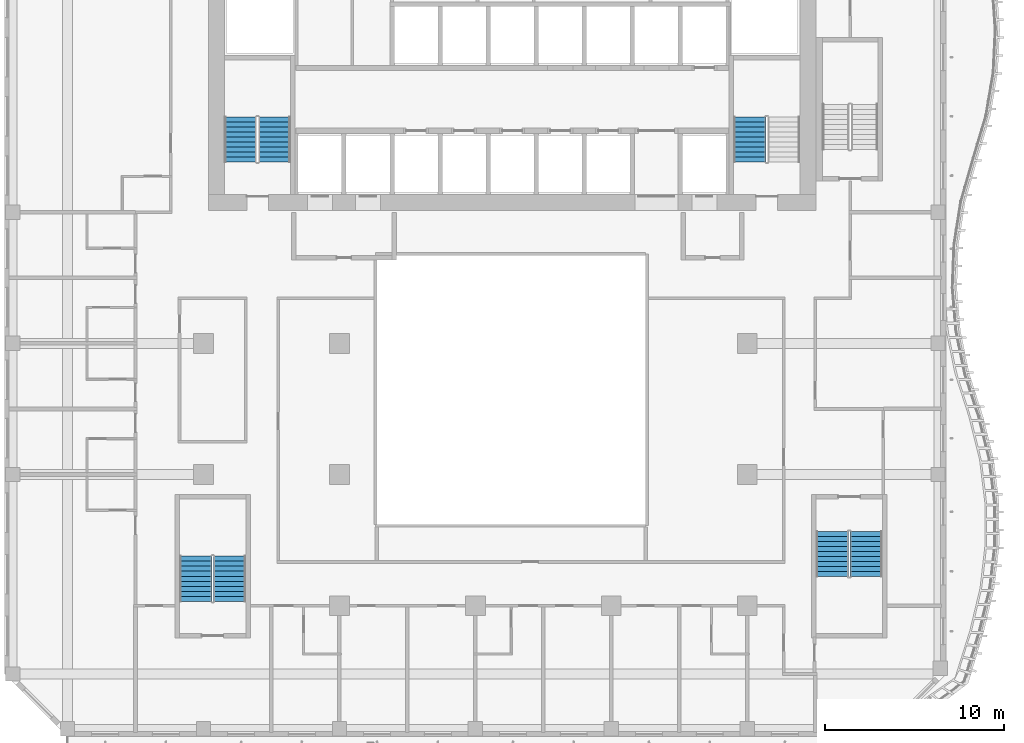
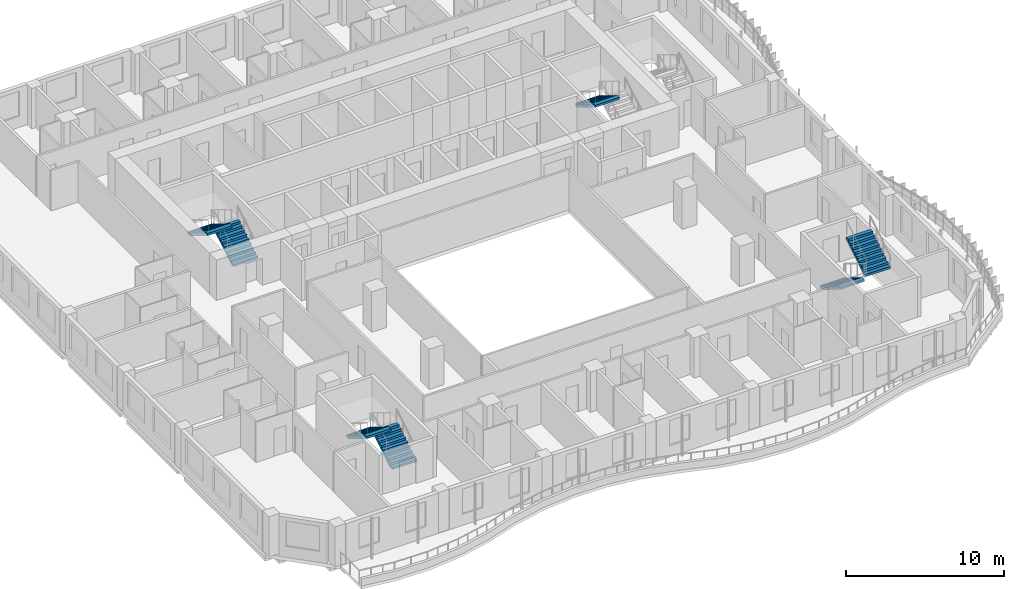
# One storey, part 12 of 22: 7 stair flights, 4 elements without a shape of their own.
"""IFC4 building model written with IfcOpenShell, lengths in metres."""

from ifc_helpers import new_model, si_unit, direction, frame, origin, place, context, subcontext, project, spatial, triangles, source, transform, mapped, material, type_object, element, aggregate, save


model = new_model("IFC4")

# Units and contexts
model_context = context("Model", 3, precision=1e-05, world=origin(), true_north=direction((0.0, 1.0)))
body_context = subcontext(model_context, "Body", "Model", "MODEL_VIEW")
ifc_project = project(units=[si_unit("LENGTHUNIT", "METRE"), si_unit("AREAUNIT", "SQUARE_METRE"), si_unit("VOLUMEUNIT", "CUBIC_METRE"), si_unit("PLANEANGLEUNIT", "RADIAN"), si_unit("MASSUNIT", "GRAM", prefix="KILO")], contexts=[model_context])

# Site, building, storey
site_placement = place(None, origin())
site = spatial("IfcSite", under=ifc_project, at=site_placement, CompositionType="ELEMENT")
building_placement = place(site_placement, origin())
building = spatial("IfcBuilding", under=site, at=building_placement, Name="Kilnfold Tower and Market Hall", CompositionType="ELEMENT")
storey_placement = place(building_placement, frame((0.0, 0.0, 143.89990234375)))
storey = spatial("IfcBuildingStorey", under=building, at=storey_placement, Name="L32", CompositionType="ELEMENT", Elevation=143.89990234375)

# Stair, stair flights
ifc_material_1 = material(Name="Concrete C40/50", Category="concrete")
stair_type = type_object("IfcStairType", Name="CORE STAIR 1800", PredefinedType="HALF_TURN_STAIR", material=ifc_material_1)
stair_1_placement = place(storey_placement, origin())
stair_1 = element("IfcStair", 1, at=stair_1_placement, inside=storey, type_object=stair_type, Name="L32 ST1", PredefinedType="HALF_TURN_STAIR")
ifc_material_2 = material(Name="Concrete C40/50", Category="concrete")
stair_flight_type = type_object("IfcStairFlightType", Name="CORE STAIR FLIGHT 1800", PredefinedType="STRAIGHT", material=ifc_material_2)
shared_shape = source(origin(), body_context, "Body", "Tessellation", [
    triangles([(0.0, 0.89990234375, 0.0), (0.0, 0.78759765625, 0.0), (0.0, 0.675048828125, 0.0), (0.0, 0.5625, 0.0), (0.0, 0.449951171875, 0.0), (0.0, 0.33740234375, 0.0), (0.0, 0.22509765625, 0.0), (0.0, 0.112548828125, 0.0), (0.0, 0.0, 0.0), (0.0, -0.112548828125, 0.0), (0.0, -0.22509765625, 0.0), (0.0, -0.33740234375, 0.0), (0.0, -0.449951171875, 0.0), (0.0, -0.5625, 0.0), (0.0, -0.675048828125, 0.0), (0.0, -0.78759765625, 0.0), (0.0, -0.89990234375, 0.0), (0.0, 0.89990234375, 0.169921875), (0.0, 0.78759765625, 0.169921875), (0.0, 0.675048828125, 0.169921875), (0.0, 0.5625, 0.169921875), (0.0, 0.449951171875, 0.169921875), (0.0, 0.33740234375, 0.169921875), (0.0, 0.22509765625, 0.169921875), (0.0, 0.112548828125, 0.169921875), (0.0, 0.0, 0.169921875), (0.0, -0.112548828125, 0.169921875), (0.0, -0.22509765625, 0.169921875), (0.0, -0.33740234375, 0.169921875), (0.0, -0.449951171875, 0.169921875), (0.0, -0.5625, 0.169921875), (0.0, -0.675048828125, 0.169921875), (0.0, -0.78759765625, 0.169921875), (0.0, -0.89990234375, 0.169921875), (0.280029296875, 0.89990234375, 0.169921875), (0.280029296875, 0.78759765625, 0.169921875), (0.280029296875, 0.675048828125, 0.169921875), (0.280029296875, 0.5625, 0.169921875), (0.280029296875, 0.449951171875, 0.169921875), (0.280029296875, 0.33740234375, 0.169921875), (0.280029296875, 0.22509765625, 0.169921875), (0.280029296875, 0.112548828125, 0.169921875), (0.280029296875, 0.0, 0.169921875), (0.280029296875, -0.112548828125, 0.169921875), (0.280029296875, -0.22509765625, 0.169921875), (0.280029296875, -0.33740234375, 0.169921875), (0.280029296875, -0.449951171875, 0.169921875), (0.280029296875, -0.5625, 0.169921875), (0.280029296875, -0.675048828125, 0.169921875), (0.280029296875, -0.78759765625, 0.169921875), (0.280029296875, -0.89990234375, 0.169921875), (0.280029296875, 0.89990234375, 0.340087890625), (0.280029296875, 0.78759765625, 0.340087890625), (0.280029296875, 0.675048828125, 0.340087890625), (0.280029296875, 0.5625, 0.340087890625), (0.280029296875, 0.449951171875, 0.340087890625), (0.280029296875, 0.33740234375, 0.340087890625), (0.280029296875, 0.22509765625, 0.340087890625), (0.280029296875, 0.112548828125, 0.340087890625), (0.280029296875, 0.0, 0.340087890625), (0.280029296875, -0.112548828125, 0.340087890625), (0.280029296875, -0.22509765625, 0.340087890625), (0.280029296875, -0.33740234375, 0.340087890625), (0.280029296875, -0.449951171875, 0.340087890625), (0.280029296875, -0.5625, 0.340087890625), (0.280029296875, -0.675048828125, 0.340087890625), (0.280029296875, -0.78759765625, 0.340087890625), (0.280029296875, -0.89990234375, 0.340087890625), (0.56005859375, 0.89990234375, 0.340087890625), (0.56005859375, 0.78759765625, 0.340087890625), (0.56005859375, 0.675048828125, 0.340087890625), (0.56005859375, 0.5625, 0.340087890625), (0.56005859375, 0.449951171875, 0.340087890625), (0.56005859375, 0.33740234375, 0.340087890625), (0.56005859375, 0.22509765625, 0.340087890625), (0.56005859375, 0.112548828125, 0.340087890625), (0.56005859375, 0.0, 0.340087890625), (0.56005859375, -0.112548828125, 0.340087890625), (0.56005859375, -0.22509765625, 0.340087890625), (0.56005859375, -0.33740234375, 0.340087890625), (0.56005859375, -0.449951171875, 0.340087890625), (0.56005859375, -0.5625, 0.340087890625), (0.56005859375, -0.675048828125, 0.340087890625), (0.56005859375, -0.78759765625, 0.340087890625), (0.56005859375, -0.89990234375, 0.340087890625), (0.56005859375, 0.89990234375, 0.510009765625), (0.56005859375, 0.78759765625, 0.510009765625), (0.56005859375, 0.675048828125, 0.510009765625), (0.56005859375, 0.5625, 0.510009765625), (0.56005859375, 0.449951171875, 0.510009765625), (0.56005859375, 0.33740234375, 0.510009765625), (0.56005859375, 0.22509765625, 0.510009765625), (0.56005859375, 0.112548828125, 0.510009765625), (0.56005859375, 0.0, 0.510009765625), (0.56005859375, -0.112548828125, 0.510009765625), (0.56005859375, -0.22509765625, 0.510009765625), (0.56005859375, -0.33740234375, 0.510009765625), (0.56005859375, -0.449951171875, 0.510009765625), (0.56005859375, -0.5625, 0.510009765625), (0.56005859375, -0.675048828125, 0.510009765625), (0.56005859375, -0.78759765625, 0.510009765625), (0.56005859375, -0.89990234375, 0.510009765625), (0.840087890625, 0.89990234375, 0.510009765625), (0.840087890625, 0.78759765625, 0.510009765625), (0.840087890625, 0.675048828125, 0.510009765625), (0.840087890625, 0.5625, 0.510009765625), (0.840087890625, 0.449951171875, 0.510009765625), (0.840087890625, 0.33740234375, 0.510009765625), (0.840087890625, 0.22509765625, 0.510009765625), (0.840087890625, 0.112548828125, 0.510009765625), (0.840087890625, 0.0, 0.510009765625), (0.840087890625, -0.112548828125, 0.510009765625), (0.840087890625, -0.22509765625, 0.510009765625), (0.840087890625, -0.33740234375, 0.510009765625), (0.840087890625, -0.449951171875, 0.510009765625), (0.840087890625, -0.5625, 0.510009765625), (0.840087890625, -0.675048828125, 0.510009765625), (0.840087890625, -0.78759765625, 0.510009765625), (0.840087890625, -0.89990234375, 0.510009765625), (0.840087890625, 0.89990234375, 0.679931640625), (0.840087890625, 0.78759765625, 0.679931640625), (0.840087890625, 0.675048828125, 0.679931640625), (0.840087890625, 0.5625, 0.679931640625), (0.840087890625, 0.449951171875, 0.679931640625), (0.840087890625, 0.33740234375, 0.679931640625), (0.840087890625, 0.22509765625, 0.679931640625), (0.840087890625, 0.112548828125, 0.679931640625), (0.840087890625, 0.0, 0.679931640625), (0.840087890625, -0.112548828125, 0.679931640625), (0.840087890625, -0.22509765625, 0.679931640625), (0.840087890625, -0.33740234375, 0.679931640625), (0.840087890625, -0.449951171875, 0.679931640625), (0.840087890625, -0.5625, 0.679931640625), (0.840087890625, -0.675048828125, 0.679931640625), (0.840087890625, -0.78759765625, 0.679931640625), (0.840087890625, -0.89990234375, 0.679931640625), (1.1201171875, 0.89990234375, 0.679931640625), (1.1201171875, 0.78759765625, 0.679931640625), (1.1201171875, 0.675048828125, 0.679931640625), (1.1201171875, 0.5625, 0.679931640625), (1.1201171875, 0.449951171875, 0.679931640625), (1.1201171875, 0.33740234375, 0.679931640625), (1.1201171875, 0.22509765625, 0.679931640625), (1.1201171875, 0.112548828125, 0.679931640625), (1.1201171875, 0.0, 0.679931640625), (1.1201171875, -0.112548828125, 0.679931640625), (1.1201171875, -0.22509765625, 0.679931640625), (1.1201171875, -0.33740234375, 0.679931640625), (1.1201171875, -0.449951171875, 0.679931640625), (1.1201171875, -0.5625, 0.679931640625), (1.1201171875, -0.675048828125, 0.679931640625), (1.1201171875, -0.78759765625, 0.679931640625), (1.1201171875, -0.89990234375, 0.679931640625), (1.1201171875, 0.89990234375, 0.85009765625), (1.1201171875, 0.78759765625, 0.85009765625), (1.1201171875, 0.675048828125, 0.85009765625), (1.1201171875, 0.5625, 0.85009765625), (1.1201171875, 0.449951171875, 0.85009765625), (1.1201171875, 0.33740234375, 0.85009765625), (1.1201171875, 0.22509765625, 0.85009765625), (1.1201171875, 0.112548828125, 0.85009765625), (1.1201171875, 0.0, 0.85009765625), (1.1201171875, -0.112548828125, 0.85009765625), (1.1201171875, -0.22509765625, 0.85009765625), (1.1201171875, -0.33740234375, 0.85009765625), (1.1201171875, -0.449951171875, 0.85009765625), (1.1201171875, -0.5625, 0.85009765625), (1.1201171875, -0.675048828125, 0.85009765625), (1.1201171875, -0.78759765625, 0.85009765625), (1.1201171875, -0.89990234375, 0.85009765625), (1.39990234375, 0.89990234375, 0.85009765625), (1.39990234375, 0.78759765625, 0.85009765625), (1.39990234375, 0.675048828125, 0.85009765625), (1.39990234375, 0.5625, 0.85009765625), (1.39990234375, 0.449951171875, 0.85009765625), (1.39990234375, 0.33740234375, 0.85009765625), (1.39990234375, 0.22509765625, 0.85009765625), (1.39990234375, 0.112548828125, 0.85009765625), (1.39990234375, 0.0, 0.85009765625), (1.39990234375, -0.112548828125, 0.85009765625), (1.39990234375, -0.22509765625, 0.85009765625), (1.39990234375, -0.33740234375, 0.85009765625), (1.39990234375, -0.449951171875, 0.85009765625), (1.39990234375, -0.5625, 0.85009765625), (1.39990234375, -0.675048828125, 0.85009765625), (1.39990234375, -0.78759765625, 0.85009765625), (1.39990234375, -0.89990234375, 0.85009765625), (1.39990234375, 0.89990234375, 1.02001953125), (1.39990234375, 0.78759765625, 1.02001953125), (1.39990234375, 0.675048828125, 1.02001953125), (1.39990234375, 0.5625, 1.02001953125), (1.39990234375, 0.449951171875, 1.02001953125), (1.39990234375, 0.33740234375, 1.02001953125), (1.39990234375, 0.22509765625, 1.02001953125), (1.39990234375, 0.112548828125, 1.02001953125), (1.39990234375, 0.0, 1.02001953125), (1.39990234375, -0.112548828125, 1.02001953125), (1.39990234375, -0.22509765625, 1.02001953125), (1.39990234375, -0.33740234375, 1.02001953125), (1.39990234375, -0.449951171875, 1.02001953125), (1.39990234375, -0.5625, 1.02001953125), (1.39990234375, -0.675048828125, 1.02001953125), (1.39990234375, -0.78759765625, 1.02001953125), (1.39990234375, -0.89990234375, 1.02001953125), (1.679931640625, 0.89990234375, 1.02001953125), (1.679931640625, 0.78759765625, 1.02001953125), (1.679931640625, 0.675048828125, 1.02001953125), (1.679931640625, 0.5625, 1.02001953125), (1.679931640625, 0.449951171875, 1.02001953125), (1.679931640625, 0.33740234375, 1.02001953125), (1.679931640625, 0.22509765625, 1.02001953125), (1.679931640625, 0.112548828125, 1.02001953125), (1.679931640625, 0.0, 1.02001953125), (1.679931640625, -0.112548828125, 1.02001953125), (1.679931640625, -0.22509765625, 1.02001953125), (1.679931640625, -0.33740234375, 1.02001953125), (1.679931640625, -0.449951171875, 1.02001953125), (1.679931640625, -0.5625, 1.02001953125), (1.679931640625, -0.675048828125, 1.02001953125), (1.679931640625, -0.78759765625, 1.02001953125), (1.679931640625, -0.89990234375, 1.02001953125), (1.679931640625, 0.89990234375, 1.18994140625), (1.679931640625, 0.78759765625, 1.18994140625), (1.679931640625, 0.675048828125, 1.18994140625), (1.679931640625, 0.5625, 1.18994140625), (1.679931640625, 0.449951171875, 1.18994140625), (1.679931640625, 0.33740234375, 1.18994140625), (1.679931640625, 0.22509765625, 1.18994140625), (1.679931640625, 0.112548828125, 1.18994140625), (1.679931640625, 0.0, 1.18994140625), (1.679931640625, -0.112548828125, 1.18994140625), (1.679931640625, -0.22509765625, 1.18994140625), (1.679931640625, -0.33740234375, 1.18994140625), (1.679931640625, -0.449951171875, 1.18994140625), (1.679931640625, -0.5625, 1.18994140625), (1.679931640625, -0.675048828125, 1.18994140625), (1.679931640625, -0.78759765625, 1.18994140625), (1.679931640625, -0.89990234375, 1.18994140625), (1.9599609375, 0.89990234375, 1.18994140625), (1.9599609375, 0.78759765625, 1.18994140625), (1.9599609375, 0.675048828125, 1.18994140625), (1.9599609375, 0.5625, 1.18994140625), (1.9599609375, 0.449951171875, 1.18994140625), (1.9599609375, 0.33740234375, 1.18994140625), (1.9599609375, 0.22509765625, 1.18994140625), (1.9599609375, 0.112548828125, 1.18994140625), (1.9599609375, 0.0, 1.18994140625), (1.9599609375, -0.112548828125, 1.18994140625), (1.9599609375, -0.22509765625, 1.18994140625), (1.9599609375, -0.33740234375, 1.18994140625), (1.9599609375, -0.449951171875, 1.18994140625), (1.9599609375, -0.5625, 1.18994140625), (1.9599609375, -0.675048828125, 1.18994140625), (1.9599609375, -0.78759765625, 1.18994140625), (1.9599609375, -0.89990234375, 1.18994140625), (1.9599609375, 0.89990234375, 1.360107421875), (1.9599609375, 0.78759765625, 1.360107421875), (1.9599609375, 0.675048828125, 1.360107421875), (1.9599609375, 0.5625, 1.360107421875), (1.9599609375, 0.449951171875, 1.360107421875), (1.9599609375, 0.33740234375, 1.360107421875), (1.9599609375, 0.22509765625, 1.360107421875), (1.9599609375, 0.112548828125, 1.360107421875), (1.9599609375, 0.0, 1.360107421875), (1.9599609375, -0.112548828125, 1.360107421875), (1.9599609375, -0.22509765625, 1.360107421875), (1.9599609375, -0.33740234375, 1.360107421875), (1.9599609375, -0.449951171875, 1.360107421875), (1.9599609375, -0.5625, 1.360107421875), (1.9599609375, -0.675048828125, 1.360107421875), (1.9599609375, -0.78759765625, 1.360107421875), (1.9599609375, -0.89990234375, 1.360107421875), (2.239990234375, 0.89990234375, 1.360107421875), (2.239990234375, 0.78759765625, 1.360107421875), (2.239990234375, 0.675048828125, 1.360107421875), (2.239990234375, 0.5625, 1.360107421875), (2.239990234375, 0.449951171875, 1.360107421875), (2.239990234375, 0.33740234375, 1.360107421875), (2.239990234375, 0.22509765625, 1.360107421875), (2.239990234375, 0.112548828125, 1.360107421875), (2.239990234375, 0.0, 1.360107421875), (2.239990234375, -0.112548828125, 1.360107421875), (2.239990234375, -0.22509765625, 1.360107421875), (2.239990234375, -0.33740234375, 1.360107421875), (2.239990234375, -0.449951171875, 1.360107421875), (2.239990234375, -0.5625, 1.360107421875), (2.239990234375, -0.675048828125, 1.360107421875), (2.239990234375, -0.78759765625, 1.360107421875), (2.239990234375, -0.89990234375, 1.360107421875), (2.239990234375, 0.89990234375, 1.530029296875), (2.239990234375, 0.78759765625, 1.530029296875), (2.239990234375, 0.675048828125, 1.530029296875), (2.239990234375, 0.5625, 1.530029296875), (2.239990234375, 0.449951171875, 1.530029296875), (2.239990234375, 0.33740234375, 1.530029296875), (2.239990234375, 0.22509765625, 1.530029296875), (2.239990234375, 0.112548828125, 1.530029296875), (2.239990234375, 0.0, 1.530029296875), (2.239990234375, -0.112548828125, 1.530029296875), (2.239990234375, -0.22509765625, 1.530029296875), (2.239990234375, -0.33740234375, 1.530029296875), (2.239990234375, -0.449951171875, 1.530029296875), (2.239990234375, -0.5625, 1.530029296875), (2.239990234375, -0.675048828125, 1.530029296875), (2.239990234375, -0.78759765625, 1.530029296875), (2.239990234375, -0.89990234375, 1.530029296875), (2.52001953125, 0.89990234375, 1.530029296875), (2.52001953125, 0.78759765625, 1.530029296875), (2.52001953125, 0.675048828125, 1.530029296875), (2.52001953125, 0.5625, 1.530029296875), (2.52001953125, 0.449951171875, 1.530029296875), (2.52001953125, 0.33740234375, 1.530029296875), (2.52001953125, 0.22509765625, 1.530029296875), (2.52001953125, 0.112548828125, 1.530029296875), (2.52001953125, 0.0, 1.530029296875), (2.52001953125, -0.112548828125, 1.530029296875), (2.52001953125, -0.22509765625, 1.530029296875), (2.52001953125, -0.33740234375, 1.530029296875), (2.52001953125, -0.449951171875, 1.530029296875), (2.52001953125, -0.5625, 1.530029296875), (2.52001953125, -0.675048828125, 1.530029296875), (2.52001953125, -0.78759765625, 1.530029296875), (2.52001953125, -0.89990234375, 1.530029296875), (2.52001953125, 0.89990234375, 1.354736328125), (2.52001953125, 0.78759765625, 1.354736328125), (2.52001953125, 0.675048828125, 1.354736328125), (2.52001953125, 0.5625, 1.354736328125), (2.52001953125, 0.449951171875, 1.354736328125), (2.52001953125, 0.33740234375, 1.354736328125), (2.52001953125, 0.22509765625, 1.354736328125), (2.52001953125, 0.112548828125, 1.354736328125), (2.52001953125, 0.0, 1.354736328125), (2.52001953125, -0.112548828125, 1.354736328125), (2.52001953125, -0.22509765625, 1.354736328125), (2.52001953125, -0.33740234375, 1.354736328125), (2.52001953125, -0.449951171875, 1.354736328125), (2.52001953125, -0.5625, 1.354736328125), (2.52001953125, -0.675048828125, 1.354736328125), (2.52001953125, -0.78759765625, 1.354736328125), (2.52001953125, -0.89990234375, 1.354736328125), (0.288818359375, 0.89990234375, 0.0), (0.288818359375, 0.78759765625, 0.0), (0.288818359375, 0.675048828125, 0.0), (0.288818359375, 0.5625, 0.0), (0.288818359375, 0.449951171875, 0.0), (0.288818359375, 0.33740234375, 0.0), (0.288818359375, 0.22509765625, 0.0), (0.288818359375, 0.112548828125, 0.0), (0.288818359375, 0.0, 0.0), (0.288818359375, -0.112548828125, 0.0), (0.288818359375, -0.22509765625, 0.0), (0.288818359375, -0.33740234375, 0.0), (0.288818359375, -0.449951171875, 0.0), (0.288818359375, -0.5625, 0.0), (0.288818359375, -0.675048828125, 0.0), (0.288818359375, -0.78759765625, 0.0), (0.288818359375, -0.89990234375, 0.0)], [[1, 324, 341], [17, 357, 340], [324, 290, 307], [340, 323, 306], [324, 273, 290], [340, 306, 289], [324, 256, 273], [340, 289, 272], [324, 239, 256], [340, 272, 255], [239, 205, 222], [255, 238, 221], [324, 205, 239], [340, 255, 221], [205, 171, 188], [221, 204, 187], [324, 171, 205], [340, 221, 187], [171, 137, 154], [187, 170, 153], [324, 137, 171], [340, 187, 153], [137, 103, 120], [153, 136, 119], [324, 103, 137], [340, 153, 119], [103, 69, 86], [119, 102, 85], [324, 69, 103], [340, 119, 85], [69, 35, 52], [85, 68, 51], [324, 35, 69], [340, 85, 51], [1, 35, 324], [17, 340, 51], [35, 1, 18], [51, 34, 17], [1, 19, 18], [1, 2, 19], [2, 20, 19], [2, 3, 20], [3, 21, 20], [3, 4, 21], [4, 22, 21], [4, 5, 22], [5, 23, 22], [5, 6, 23], [6, 24, 23], [6, 7, 24], [7, 25, 24], [7, 8, 25], [8, 26, 25], [8, 9, 26], [9, 27, 26], [9, 10, 27], [10, 28, 27], [10, 11, 28], [11, 29, 28], [11, 12, 29], [12, 30, 29], [12, 13, 30], [13, 31, 30], [13, 14, 31], [14, 32, 31], [14, 15, 32], [15, 33, 32], [15, 16, 33], [16, 34, 33], [16, 17, 34], [18, 36, 35], [18, 19, 36], [19, 37, 36], [19, 20, 37], [20, 38, 37], [20, 21, 38], [21, 39, 38], [21, 22, 39], [22, 40, 39], [22, 23, 40], [23, 41, 40], [23, 24, 41], [24, 42, 41], [24, 25, 42], [25, 43, 42], [25, 26, 43], [26, 44, 43], [26, 27, 44], [27, 45, 44], [27, 28, 45], [28, 46, 45], [28, 29, 46], [29, 47, 46], [29, 30, 47], [30, 48, 47], [30, 31, 48], [31, 49, 48], [31, 32, 49], [32, 50, 49], [32, 33, 50], [33, 51, 50], [33, 34, 51], [35, 53, 52], [35, 36, 53], [36, 54, 53], [36, 37, 54], [37, 55, 54], [37, 38, 55], [38, 56, 55], [38, 39, 56], [39, 57, 56], [39, 40, 57], [40, 58, 57], [40, 41, 58], [41, 59, 58], [41, 42, 59], [42, 60, 59], [42, 43, 60], [43, 61, 60], [43, 44, 61], [44, 62, 61], [44, 45, 62], [45, 63, 62], [45, 46, 63], [46, 64, 63], [46, 47, 64], [47, 65, 64], [47, 48, 65], [48, 66, 65], [48, 49, 66], [49, 67, 66], [49, 50, 67], [50, 68, 67], [50, 51, 68], [52, 70, 69], [52, 53, 70], [53, 71, 70], [53, 54, 71], [54, 72, 71], [54, 55, 72], [55, 73, 72], [55, 56, 73], [56, 74, 73], [56, 57, 74], [57, 75, 74], [57, 58, 75], [58, 76, 75], [58, 59, 76], [59, 77, 76], [59, 60, 77], [60, 78, 77], [60, 61, 78], [61, 79, 78], [61, 62, 79], [62, 80, 79], [62, 63, 80], [63, 81, 80], [63, 64, 81], [64, 82, 81], [64, 65, 82], [65, 83, 82], [65, 66, 83], [66, 84, 83], [66, 67, 84], [67, 85, 84], [67, 68, 85], [69, 87, 86], [69, 70, 87], [70, 88, 87], [70, 71, 88], [71, 89, 88], [71, 72, 89], [72, 90, 89], [72, 73, 90], [73, 91, 90], [73, 74, 91], [74, 92, 91], [74, 75, 92], [75, 93, 92], [75, 76, 93], [76, 94, 93], [76, 77, 94], [77, 95, 94], [77, 78, 95], [78, 96, 95], [78, 79, 96], [79, 97, 96], [79, 80, 97], [80, 98, 97], [80, 81, 98], [81, 99, 98], [81, 82, 99], [82, 100, 99], [82, 83, 100], [83, 101, 100], [83, 84, 101], [84, 102, 101], [84, 85, 102], [86, 104, 103], [86, 87, 104], [87, 105, 104], [87, 88, 105], [88, 106, 105], [88, 89, 106], [89, 107, 106], [89, 90, 107], [90, 108, 107], [90, 91, 108], [91, 109, 108], [91, 92, 109], [92, 110, 109], [92, 93, 110], [93, 111, 110], [93, 94, 111], [94, 112, 111], [94, 95, 112], [95, 113, 112], [95, 96, 113], [96, 114, 113], [96, 97, 114], [97, 115, 114], [97, 98, 115], [98, 116, 115], [98, 99, 116], [99, 117, 116], [99, 100, 117], [100, 118, 117], [100, 101, 118], [101, 119, 118], [101, 102, 119], [103, 121, 120], [103, 104, 121], [104, 122, 121], [104, 105, 122], [105, 123, 122], [105, 106, 123], [106, 124, 123], [106, 107, 124], [107, 125, 124], [107, 108, 125], [108, 126, 125], [108, 109, 126], [109, 127, 126], [109, 110, 127], [110, 128, 127], [110, 111, 128], [111, 129, 128], [111, 112, 129], [112, 130, 129], [112, 113, 130], [113, 131, 130], [113, 114, 131], [114, 132, 131], [114, 115, 132], [115, 133, 132], [115, 116, 133], [116, 134, 133], [116, 117, 134], [117, 135, 134], [117, 118, 135], [118, 136, 135], [118, 119, 136], [120, 138, 137], [120, 121, 138], [121, 139, 138], [121, 122, 139], [122, 140, 139], [122, 123, 140], [123, 141, 140], [123, 124, 141], [124, 142, 141], [124, 125, 142], [125, 143, 142], [125, 126, 143], [126, 144, 143], [126, 127, 144], [127, 145, 144], [127, 128, 145], [128, 146, 145], [128, 129, 146], [129, 147, 146], [129, 130, 147], [130, 148, 147], [130, 131, 148], [131, 149, 148], [131, 132, 149], [132, 150, 149], [132, 133, 150], [133, 151, 150], [133, 134, 151], [134, 152, 151], [134, 135, 152], [135, 153, 152], [135, 136, 153], [137, 155, 154], [137, 138, 155], [138, 156, 155], [138, 139, 156], [139, 157, 156], [139, 140, 157], [140, 158, 157], [140, 141, 158], [141, 159, 158], [141, 142, 159], [142, 160, 159], [142, 143, 160], [143, 161, 160], [143, 144, 161], [144, 162, 161], [144, 145, 162], [145, 163, 162], [145, 146, 163], [146, 164, 163], [146, 147, 164], [147, 165, 164], [147, 148, 165], [148, 166, 165], [148, 149, 166], [149, 167, 166], [149, 150, 167], [150, 168, 167], [150, 151, 168], [151, 169, 168], [151, 152, 169], [152, 170, 169], [152, 153, 170], [154, 172, 171], [154, 155, 172], [155, 173, 172], [155, 156, 173], [156, 174, 173], [156, 157, 174], [157, 175, 174], [157, 158, 175], [158, 176, 175], [158, 159, 176], [159, 177, 176], [159, 160, 177], [160, 178, 177], [160, 161, 178], [161, 179, 178], [161, 162, 179], [162, 180, 179], [162, 163, 180], [163, 181, 180], [163, 164, 181], [164, 182, 181], [164, 165, 182], [165, 183, 182], [165, 166, 183], [166, 184, 183], [166, 167, 184], [167, 185, 184], [167, 168, 185], [168, 186, 185], [168, 169, 186], [169, 187, 186], [169, 170, 187], [171, 189, 188], [171, 172, 189], [172, 190, 189], [172, 173, 190], [173, 191, 190], [173, 174, 191], [174, 192, 191], [174, 175, 192], [175, 193, 192], [175, 176, 193], [176, 194, 193], [176, 177, 194], [177, 195, 194], [177, 178, 195], [178, 196, 195], [178, 179, 196], [179, 197, 196], [179, 180, 197], [180, 198, 197], [180, 181, 198], [181, 199, 198], [181, 182, 199], [182, 200, 199], [182, 183, 200], [183, 201, 200], [183, 184, 201], [184, 202, 201], [184, 185, 202], [185, 203, 202], [185, 186, 203], [186, 204, 203], [186, 187, 204], [188, 206, 205], [188, 189, 206], [189, 207, 206], [189, 190, 207], [190, 208, 207], [190, 191, 208], [191, 209, 208], [191, 192, 209], [192, 210, 209], [192, 193, 210], [193, 211, 210], [193, 194, 211], [194, 212, 211], [194, 195, 212], [195, 213, 212], [195, 196, 213], [196, 214, 213], [196, 197, 214], [197, 215, 214], [197, 198, 215], [198, 216, 215], [198, 199, 216], [199, 217, 216], [199, 200, 217], [200, 218, 217], [200, 201, 218], [201, 219, 218], [201, 202, 219], [202, 220, 219], [202, 203, 220], [203, 221, 220], [203, 204, 221], [205, 223, 222], [205, 206, 223], [206, 224, 223], [206, 207, 224], [207, 225, 224], [207, 208, 225], [208, 226, 225], [208, 209, 226], [209, 227, 226], [209, 210, 227], [210, 228, 227], [210, 211, 228], [211, 229, 228], [211, 212, 229], [212, 230, 229], [212, 213, 230], [213, 231, 230], [213, 214, 231], [214, 232, 231], [214, 215, 232], [215, 233, 232], [215, 216, 233], [216, 234, 233], [216, 217, 234], [217, 235, 234], [217, 218, 235], [218, 236, 235], [218, 219, 236], [219, 237, 236], [219, 220, 237], [220, 238, 237], [220, 221, 238], [222, 240, 239], [222, 223, 240], [223, 241, 240], [223, 224, 241], [224, 242, 241], [224, 225, 242], [225, 243, 242], [225, 226, 243], [226, 244, 243], [226, 227, 244], [227, 245, 244], [227, 228, 245], [228, 246, 245], [228, 229, 246], [229, 247, 246], [229, 230, 247], [230, 248, 247], [230, 231, 248], [231, 249, 248], [231, 232, 249], [232, 250, 249], [232, 233, 250], [233, 251, 250], [233, 234, 251], [234, 252, 251], [234, 235, 252], [235, 253, 252], [235, 236, 253], [236, 254, 253], [236, 237, 254], [237, 255, 254], [237, 238, 255], [239, 257, 256], [239, 240, 257], [240, 258, 257], [240, 241, 258], [241, 259, 258], [241, 242, 259], [242, 260, 259], [242, 243, 260], [243, 261, 260], [243, 244, 261], [244, 262, 261], [244, 245, 262], [245, 263, 262], [245, 246, 263], [246, 264, 263], [246, 247, 264], [247, 265, 264], [247, 248, 265], [248, 266, 265], [248, 249, 266], [249, 267, 266], [249, 250, 267], [250, 268, 267], [250, 251, 268], [251, 269, 268], [251, 252, 269], [252, 270, 269], [252, 253, 270], [253, 271, 270], [253, 254, 271], [254, 272, 271], [254, 255, 272], [256, 274, 273], [256, 257, 274], [257, 275, 274], [257, 258, 275], [258, 276, 275], [258, 259, 276], [259, 277, 276], [259, 260, 277], [260, 278, 277], [260, 261, 278], [261, 279, 278], [261, 262, 279], [262, 280, 279], [262, 263, 280], [263, 281, 280], [263, 264, 281], [264, 282, 281], [264, 265, 282], [265, 283, 282], [265, 266, 283], [266, 284, 283], [266, 267, 284], [267, 285, 284], [267, 268, 285], [268, 286, 285], [268, 269, 286], [269, 287, 286], [269, 270, 287], [270, 288, 287], [270, 271, 288], [271, 289, 288], [271, 272, 289], [273, 291, 290], [273, 274, 291], [274, 292, 291], [274, 275, 292], [275, 293, 292], [275, 276, 293], [276, 294, 293], [276, 277, 294], [277, 295, 294], [277, 278, 295], [278, 296, 295], [278, 279, 296], [279, 297, 296], [279, 280, 297], [280, 298, 297], [280, 281, 298], [281, 299, 298], [281, 282, 299], [282, 300, 299], [282, 283, 300], [283, 301, 300], [283, 284, 301], [284, 302, 301], [284, 285, 302], [285, 303, 302], [285, 286, 303], [286, 304, 303], [286, 287, 304], [287, 305, 304], [287, 288, 305], [288, 306, 305], [288, 289, 306], [290, 308, 307], [290, 291, 308], [291, 309, 308], [291, 292, 309], [292, 310, 309], [292, 293, 310], [293, 311, 310], [293, 294, 311], [294, 312, 311], [294, 295, 312], [295, 313, 312], [295, 296, 313], [296, 314, 313], [296, 297, 314], [297, 315, 314], [297, 298, 315], [298, 316, 315], [298, 299, 316], [299, 317, 316], [299, 300, 317], [300, 318, 317], [300, 301, 318], [301, 319, 318], [301, 302, 319], [302, 320, 319], [302, 303, 320], [303, 321, 320], [303, 304, 321], [304, 322, 321], [304, 305, 322], [305, 323, 322], [305, 306, 323], [307, 325, 324], [307, 308, 325], [308, 326, 325], [308, 309, 326], [309, 327, 326], [309, 310, 327], [310, 328, 327], [310, 311, 328], [311, 329, 328], [311, 312, 329], [312, 330, 329], [312, 313, 330], [313, 331, 330], [313, 314, 331], [314, 332, 331], [314, 315, 332], [315, 333, 332], [315, 316, 333], [316, 334, 333], [316, 317, 334], [317, 335, 334], [317, 318, 335], [318, 336, 335], [318, 319, 336], [319, 337, 336], [319, 320, 337], [320, 338, 337], [320, 321, 338], [321, 339, 338], [321, 322, 339], [322, 340, 339], [322, 323, 340], [324, 342, 341], [324, 325, 342], [325, 343, 342], [325, 326, 343], [326, 344, 343], [326, 327, 344], [327, 345, 344], [327, 328, 345], [328, 346, 345], [328, 329, 346], [329, 347, 346], [329, 330, 347], [330, 348, 347], [330, 331, 348], [331, 349, 348], [331, 332, 349], [332, 350, 349], [332, 333, 350], [333, 351, 350], [333, 334, 351], [334, 352, 351], [334, 335, 352], [335, 353, 352], [335, 336, 353], [336, 354, 353], [336, 337, 354], [337, 355, 354], [337, 338, 355], [338, 356, 355], [338, 339, 356], [339, 357, 356], [339, 340, 357], [341, 2, 1], [341, 342, 2], [342, 3, 2], [342, 343, 3], [343, 4, 3], [343, 344, 4], [344, 5, 4], [344, 345, 5], [345, 6, 5], [345, 346, 6], [346, 7, 6], [346, 347, 7], [347, 8, 7], [347, 348, 8], [348, 9, 8], [348, 349, 9], [349, 10, 9], [349, 350, 10], [350, 11, 10], [350, 351, 11], [351, 12, 11], [351, 352, 12], [352, 13, 12], [352, 353, 13], [353, 14, 13], [353, 354, 14], [354, 15, 14], [354, 355, 15], [355, 16, 15], [355, 356, 16], [356, 17, 16], [356, 357, 17]], closed=True),
])
stair_flight_1_placement = place(storey_placement, frame((-12.199951171875, 10.800048828125, 0.0), z_axis=(0.0, 0.0, 1.0), x_axis=(0.0, 1.0, 0.0)))
stair_flight_1 = element("IfcStairFlight", 2, at=stair_flight_1_placement, type_object=stair_flight_type, Name="ST1 flight 1", NumberOfRisers=10, NumberOfTreads=9, PredefinedType="STRAIGHT", RiserHeight=0.17, TreadLength=0.28, context=body_context, shape_type="MappedRepresentation", body=[
    mapped(shared_shape, transform((0.0, 0.0, 0.0))),
])
stair_flight_2_placement = place(storey_placement, frame((-14.10009765625, 13.320068359375, 1.7001953125), z_axis=(0.0, 0.0, 1.0), x_axis=(0.0, -1.0, 0.0)))
stair_flight_2 = element("IfcStairFlight", 3, at=stair_flight_2_placement, type_object=stair_flight_type, Name="ST1 flight 2", NumberOfRisers=10, NumberOfTreads=9, PredefinedType="STRAIGHT", RiserHeight=0.17, TreadLength=0.28, context=body_context, shape_type="MappedRepresentation", body=[
    mapped(shared_shape, transform((0.0, 0.0, 0.0))),
])
aggregate(stair_1, [stair_flight_1, stair_flight_2])

# Stair, stair flight
stair_2_placement = place(storey_placement, origin())
stair_2 = element("IfcStair", 4, at=stair_2_placement, inside=storey, type_object=stair_type, Name="L32 ST2", PredefinedType="HALF_TURN_STAIR")
stair_flight_3_placement = place(storey_placement, frame((14.300048828125, 13.320068359375, 1.7001953125), z_axis=(0.0, 0.0, 1.0), x_axis=(0.0, -1.0, 0.0)))
stair_flight_3 = element("IfcStairFlight", 5, at=stair_flight_3_placement, type_object=stair_flight_type, Name="ST2 flight 2", NumberOfRisers=10, NumberOfTreads=9, PredefinedType="STRAIGHT", RiserHeight=0.17, TreadLength=0.28, context=body_context, shape_type="MappedRepresentation", body=[
    mapped(shared_shape, transform((0.0, 0.0, 0.0))),
])
aggregate(stair_2, [stair_flight_3])

# Stair, stair flights
stair_3_placement = place(storey_placement, origin())
stair_3 = element("IfcStair", 6, at=stair_3_placement, inside=storey, type_object=stair_type, Name="L32 ST3", PredefinedType="HALF_TURN_STAIR")
stair_flight_4_placement = place(storey_placement, frame((-14.699951171875, -13.699951171875, 0.0), z_axis=(0.0, 0.0, 1.0), x_axis=(0.0, 1.0, 0.0)))
stair_flight_4 = element("IfcStairFlight", 7, at=stair_flight_4_placement, type_object=stair_flight_type, Name="ST3 flight 1", NumberOfRisers=10, NumberOfTreads=9, PredefinedType="STRAIGHT", RiserHeight=0.17, TreadLength=0.28, context=body_context, shape_type="MappedRepresentation", body=[
    mapped(shared_shape, transform((0.0, 0.0, 0.0))),
])
stair_flight_5_placement = place(storey_placement, frame((-16.60009765625, -11.179931640625, 1.7001953125), z_axis=(0.0, 0.0, 1.0), x_axis=(0.0, -1.0, 0.0)))
stair_flight_5 = element("IfcStairFlight", 8, at=stair_flight_5_placement, type_object=stair_flight_type, Name="ST3 flight 2", NumberOfRisers=10, NumberOfTreads=9, PredefinedType="STRAIGHT", RiserHeight=0.17, TreadLength=0.28, context=body_context, shape_type="MappedRepresentation", body=[
    mapped(shared_shape, transform((0.0, 0.0, 0.0))),
])
aggregate(stair_3, [stair_flight_4, stair_flight_5])

stair_4_placement = place(storey_placement, origin())
stair_4 = element("IfcStair", 9, at=stair_4_placement, inside=storey, type_object=stair_type, Name="L32 ST4", PredefinedType="HALF_TURN_STAIR")
stair_flight_6_placement = place(storey_placement, frame((18.89990234375, -9.800048828125, 0.0), z_axis=(0.0, 0.0, 1.0), x_axis=(0.0, -1.0, 0.0)))
stair_flight_6 = element("IfcStairFlight", 10, at=stair_flight_6_placement, type_object=stair_flight_type, Name="ST4 flight 1", NumberOfRisers=10, NumberOfTreads=9, PredefinedType="STRAIGHT", RiserHeight=0.17, TreadLength=0.28, context=body_context, shape_type="MappedRepresentation", body=[
    mapped(shared_shape, transform((0.0, 0.0, 0.0))),
])
stair_flight_7_placement = place(storey_placement, frame((20.800048828125, -12.320068359375, 1.7001953125), z_axis=(0.0, 0.0, 1.0), x_axis=(0.0, 1.0, 0.0)))
stair_flight_7 = element("IfcStairFlight", 11, at=stair_flight_7_placement, type_object=stair_flight_type, Name="ST4 flight 2", NumberOfRisers=10, NumberOfTreads=9, PredefinedType="STRAIGHT", RiserHeight=0.17, TreadLength=0.28, context=body_context, shape_type="MappedRepresentation", body=[
    mapped(shared_shape, transform((0.0, 0.0, 0.0))),
])
aggregate(stair_4, [stair_flight_6, stair_flight_7])

save(model, "model.ifc")
